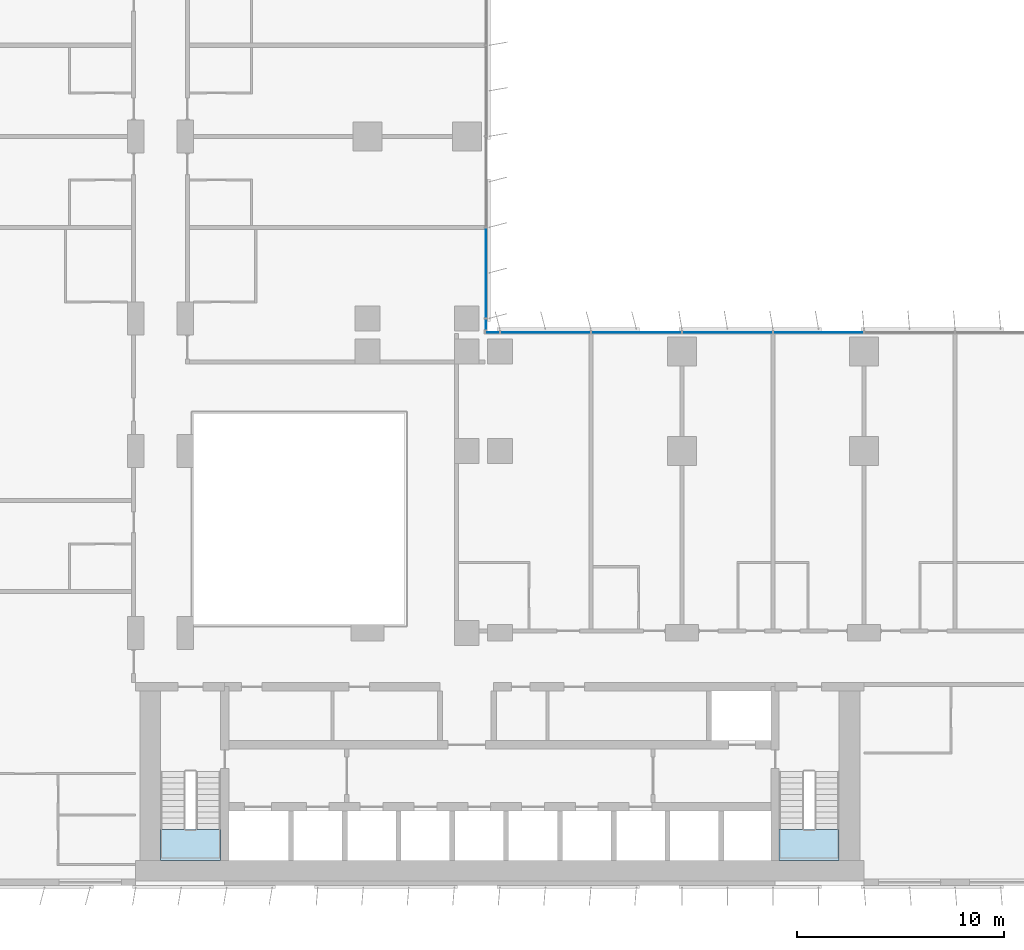
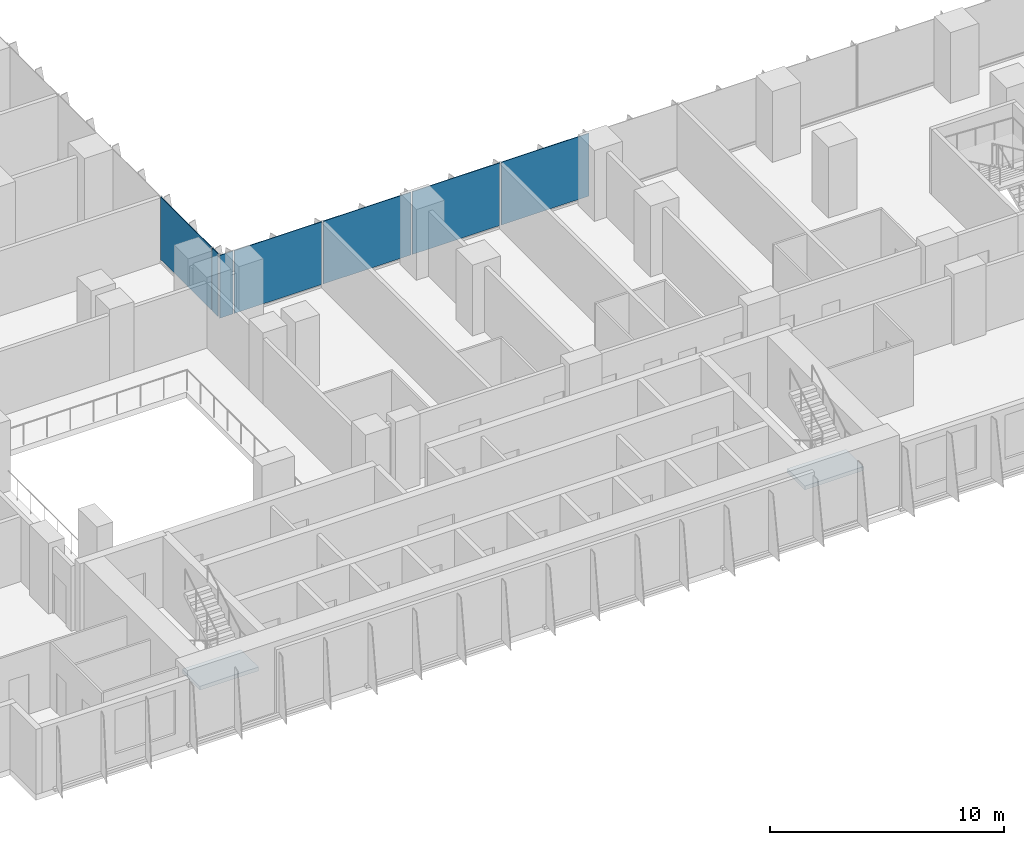
# One storey, part 10 of 24: 7 plates, 2 slabs, 4 elements without a shape of their own.
"""IFC4 building model written with IfcOpenShell, lengths in metres."""

from ifc_helpers import new_model, si_unit, direction, frame, origin, origin_2d, place, context, subcontext, project, spatial, polyline, rectangle, outline, extrude, source, transform, mapped, material, layer, layer_set, type_object, element, aggregate, save


model = new_model("IFC4")

# Units and contexts
model_context = context("Model", 3, precision=1e-05, world=origin(), true_north=direction((0.0, 1.0)))
body_context = subcontext(model_context, "Body", "Model", "MODEL_VIEW")
ifc_project = project(units=[si_unit("LENGTHUNIT", "METRE"), si_unit("AREAUNIT", "SQUARE_METRE"), si_unit("VOLUMEUNIT", "CUBIC_METRE"), si_unit("PLANEANGLEUNIT", "RADIAN"), si_unit("MASSUNIT", "GRAM", prefix="KILO")], contexts=[model_context])

# Site, building, storey
site_placement = place(None, origin())
site = spatial("IfcSite", under=ifc_project, at=site_placement, CompositionType="ELEMENT")
building_placement = place(site_placement, origin())
building = spatial("IfcBuilding", under=site, at=building_placement, Name="Kemantara Hotel Tower", CompositionType="ELEMENT")
storey_placement = place(building_placement, frame((0.0, 0.0, 63.60009765625)))
storey = spatial("IfcBuildingStorey", under=building, at=storey_placement, Name="L14", CompositionType="ELEMENT", Elevation=63.60009765625)

# Stair, slab
ifc_material_1 = material(Name="Concrete fc 40 MPa", Category="concrete")
stair_type = type_object("IfcStairType", Name="Stair 1200 wide 22 risers of 168 x 280 mm", PredefinedType="HALF_TURN_STAIR", material=ifc_material_1)
stair_1_placement = place(storey_placement, origin())
stair_1 = element("IfcStair", 1, at=stair_1_placement, inside=storey, type_object=stair_type, Name="L14 Exit stair ST1", PredefinedType="HALF_TURN_STAIR")
ifc_layer_1 = layer(ifc_material_1, 0.199951171875)
ifc_layer_set_1 = layer_set([ifc_layer_1], Name="Concrete fc 40 MPa")
slab_type = type_object("IfcSlabType", Name="Stair landing 200 mm", PredefinedType="LANDING", material=ifc_layer_set_1)
slab_1_placement = place(storey_placement, frame((0.0, 0.0, 1.64990234375)))
slab_1 = element("IfcSlab", 2, at=slab_1_placement, type_object=slab_type, Name="ST1 landing 1", PredefinedType="LANDING", context=body_context, shape_type="SweptSolid", body=[
    extrude(outline(polyline([(11.0, 2.699951171875), (11.0, 1.199951171875), (13.89990234375, 1.199951171875), (13.89990234375, 2.699951171875), (11.0, 2.699951171875)])), origin(), (0.0, 0.0, 1.0), 0.199951171875),
])
aggregate(stair_1, [slab_1])

stair_2_placement = place(storey_placement, origin())
stair_2 = element("IfcStair", 3, at=stair_2_placement, inside=storey, type_object=stair_type, Name="L14 Exit stair ST2", PredefinedType="HALF_TURN_STAIR")
slab_2_placement = place(storey_placement, frame((0.0, 0.0, 1.64990234375)))
slab_2 = element("IfcSlab", 4, at=slab_2_placement, type_object=slab_type, Name="ST2 landing 1", PredefinedType="LANDING", context=body_context, shape_type="SweptSolid", body=[
    extrude(outline(polyline([(40.89990234375, 2.699951171875), (40.89990234375, 1.199951171875), (43.800048828125, 1.199951171875), (43.800048828125, 2.699951171875), (40.89990234375, 2.699951171875)])), origin(), (0.0, 0.0, 1.0), 0.199951171875),
])
aggregate(stair_2, [slab_2])

# Curtain wall, plates
ifc_material_2 = material(Name="Low-E tinted double insulated glass 36 mm", Category="glass")
curtain_wall_type = type_object("IfcCurtainWallType", Name="TOWER CURTAIN WALL, FRONT FACES", PredefinedType="USERDEFINED", material=ifc_material_2)
curtain_wall_1_placement = place(storey_placement, origin())
curtain_wall_1 = element("IfcCurtainWall", 5, at=curtain_wall_1_placement, inside=storey, type_object=curtain_wall_type, Name="CW4 L14 T1-R07-1", ObjectType="TOWER CURTAIN WALL, FRONT FACES", PredefinedType="USERDEFINED")
ifc_layer_2 = layer(ifc_material_2, 0.035888671875)
ifc_layer_set_2 = layer_set([ifc_layer_2], Name="Low-E tinted double insulated glass 36 mm")
plate_type = type_object("IfcPlateType", Name="TOWER CURTAIN WALL, FRONT FACES PANEL", PredefinedType="CURTAIN_PANEL", material=ifc_layer_set_2)
shared_shape_1 = source(origin(), body_context, "Body", "SweptSolid", [
    extrude(rectangle(XDim=4.340087890625, YDim=0.035888671875, at=origin_2d()), origin(), (0.0, 0.0, 1.0), 3.280029296875),
])
plate_1_placement = place(storey_placement, frame((42.800048828125, 26.72509765625, 0.1201171875), z_axis=(0.0, 0.0, 1.0), x_axis=(-1.0, 0.0, 0.0)))
plate_1 = element("IfcPlate", 6, at=plate_1_placement, type_object=plate_type, Name="CW4 glass panel T1-R07-1.9", PredefinedType="CURTAIN_PANEL", context=body_context, shape_type="MappedRepresentation", body=[
    mapped(shared_shape_1, transform((0.0, 0.0, 0.0))),
])
plate_2_placement = place(storey_placement, frame((38.39990234375, 26.72509765625, 0.1201171875), z_axis=(0.0, 0.0, 1.0), x_axis=(-1.0, 0.0, 0.0)))
plate_2 = element("IfcPlate", 7, at=plate_2_placement, type_object=plate_type, Name="CW4 glass panel T1-R07-1.10", PredefinedType="CURTAIN_PANEL", context=body_context, shape_type="MappedRepresentation", body=[
    mapped(shared_shape_1, transform((0.0, 0.0, 0.0))),
])
plate_3_placement = place(storey_placement, frame((34.0, 26.72509765625, 0.1201171875), z_axis=(0.0, 0.0, 1.0), x_axis=(-1.0, 0.0, 0.0)))
plate_3 = element("IfcPlate", 8, at=plate_3_placement, type_object=plate_type, Name="CW4 glass panel T1-R07-1.11", PredefinedType="CURTAIN_PANEL", context=body_context, shape_type="MappedRepresentation", body=[
    mapped(shared_shape_1, transform((0.0, 0.0, 0.0))),
])
plate_4_placement = place(storey_placement, frame((29.60009765625, 26.72509765625, 0.1201171875), z_axis=(0.0, 0.0, 1.0), x_axis=(-1.0, 0.0, 0.0)))
plate_4 = element("IfcPlate", 9, at=plate_4_placement, type_object=plate_type, Name="CW4 glass panel T1-R07-1.12", PredefinedType="CURTAIN_PANEL", context=body_context, shape_type="MappedRepresentation", body=[
    mapped(shared_shape_1, transform((0.0, 0.0, 0.0))),
])

# Curtain wall, plate
curtain_wall_2_placement = place(storey_placement, origin())
curtain_wall_2 = element("IfcCurtainWall", 10, at=curtain_wall_2_placement, inside=storey, type_object=curtain_wall_type, Name="CW4 L14 T1-R08-1", ObjectType="TOWER CURTAIN WALL, FRONT FACES", PredefinedType="USERDEFINED")
plate_5_placement = place(storey_placement, frame((26.72509765625, 29.60009765625, 0.1201171875), z_axis=(0.0, 0.0, 1.0), x_axis=(0.0, 1.0, 0.0)))
plate_5 = element("IfcPlate", 11, at=plate_5_placement, type_object=plate_type, Name="CW4 glass panel T1-R08-1.2", PredefinedType="CURTAIN_PANEL", context=body_context, shape_type="MappedRepresentation", body=[
    mapped(shared_shape_1, transform((0.0, 0.0, 0.0))),
])

# Plate
shared_shape_2 = source(origin(), body_context, "Body", "SweptSolid", [
    extrude(rectangle(XDim=0.659912109375, YDim=0.035888671875, at=origin_2d()), origin(), (0.0, 0.0, 1.0), 3.280029296875),
])
plate_6_placement = place(storey_placement, frame((27.0400390625, 26.72509765625, 0.1201171875), z_axis=(0.0, 0.0, 1.0), x_axis=(-1.0, 0.0, 0.0)))
plate_6 = element("IfcPlate", 12, at=plate_6_placement, type_object=plate_type, Name="CW4 glass panel T1-R07-1.13", PredefinedType="CURTAIN_PANEL", context=body_context, shape_type="MappedRepresentation", body=[
    mapped(shared_shape_2, transform((0.0, 0.0, 0.0))),
])

aggregate(curtain_wall_1, [plate_1, plate_2, plate_3, plate_4, plate_6])

shared_shape_3 = source(origin(), body_context, "Body", "SweptSolid", [
    extrude(rectangle(XDim=0.510009765625, YDim=0.035888671875, at=origin_2d()), origin(), (0.0, 0.0, 1.0), 3.280029296875),
])
plate_7_placement = place(storey_placement, frame((26.72509765625, 27.114990234375, 0.1201171875), z_axis=(0.0, 0.0, 1.0), x_axis=(0.0, 1.0, 0.0)))
plate_7 = element("IfcPlate", 13, at=plate_7_placement, type_object=plate_type, Name="CW4 glass panel T1-R08-1.1", PredefinedType="CURTAIN_PANEL", context=body_context, shape_type="MappedRepresentation", body=[
    mapped(shared_shape_3, transform((0.0, 0.0, 0.0))),
])

aggregate(curtain_wall_2, [plate_7, plate_5])

save(model, "model.ifc")
